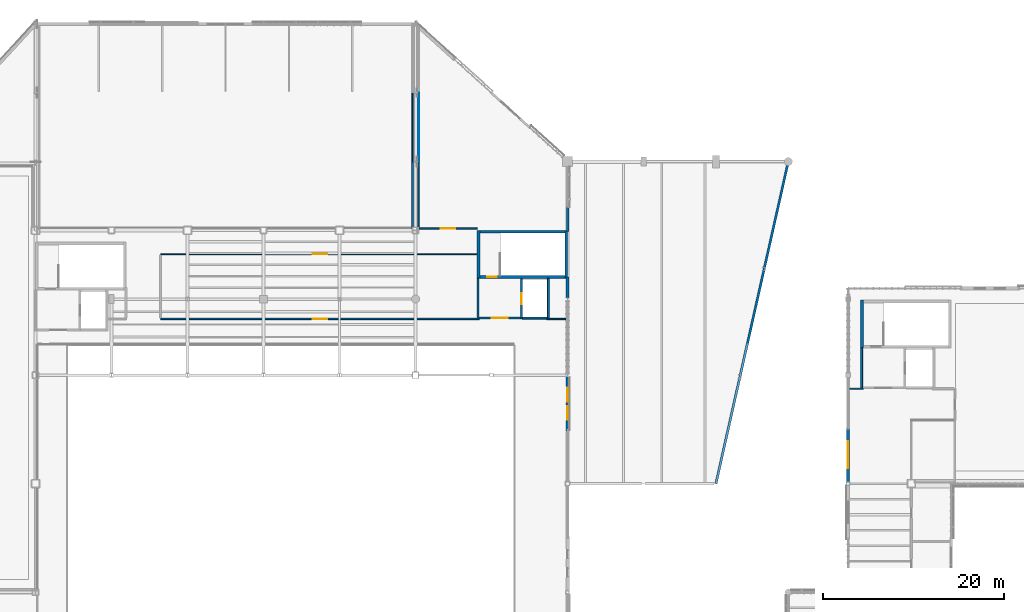
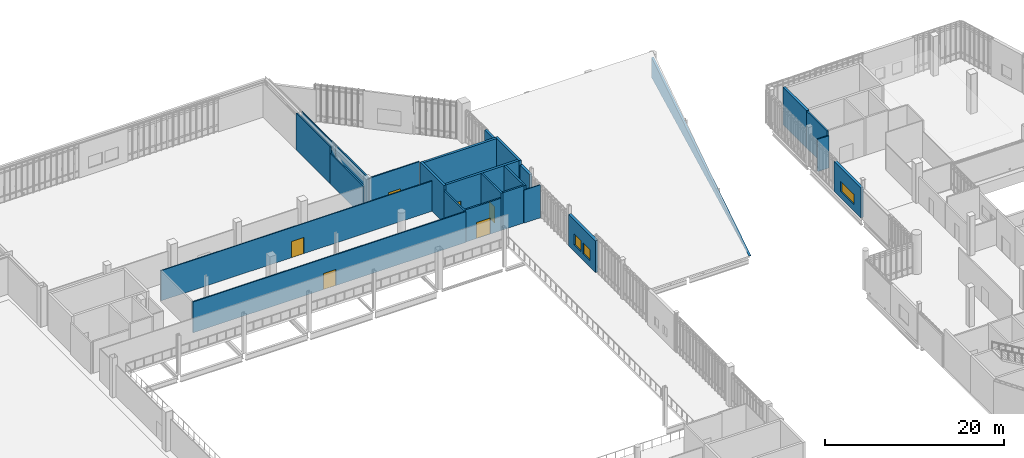
# One storey, part 118 of 135: 25 walls, 6 doors, 3 windows, 9 openings.
"""IFC4 building model written with IfcOpenShell, lengths in metres."""

from ifc_helpers import new_model, si_unit, direction, frame, frame_2d, origin, place, context, subcontext, project, spatial, polyline, rectangle, outline, extrude, material, layer, layer_set, type_object, element, fill, save


model = new_model("IFC4")

# Units and contexts
model_context = context("Model", 3, precision=1e-05, world=origin(), true_north=direction((0.0, 1.0)))
body_context = subcontext(model_context, "Body", "Model", "MODEL_VIEW")
ifc_project = project(units=[si_unit("LENGTHUNIT", "METRE"), si_unit("AREAUNIT", "SQUARE_METRE"), si_unit("VOLUMEUNIT", "CUBIC_METRE"), si_unit("PLANEANGLEUNIT", "RADIAN"), si_unit("MASSUNIT", "GRAM", prefix="KILO")], contexts=[model_context])

# Site, building, storey
site_placement = place(None, origin())
site = spatial("IfcSite", under=ifc_project, at=site_placement, CompositionType="ELEMENT")
building_placement = place(site_placement, origin())
building = spatial("IfcBuilding", under=site, at=building_placement, Name="Larkvane Passage Sports Hall", CompositionType="ELEMENT")
storey_placement = place(building_placement, frame((0.0, 0.0, 16.800048828125)))
storey = spatial("IfcBuildingStorey", under=building, at=storey_placement, Name="L03", CompositionType="ELEMENT", Elevation=16.800048828125)

# Walls
ifc_material_1 = material(Name="Concrete C50/60", Category="concrete")
ifc_layer_1 = layer(ifc_material_1, 0.360107421875)
ifc_layer_set_1 = layer_set([ifc_layer_1], Name="Concrete C50/60")
wall_type_1 = type_object("IfcWallType", Name="WL-CORE-360", PredefinedType="SHEAR", material=ifc_layer_set_1)
for number, where, z_axis, x_axis, name in (
    (1, (83.75, 86.300048828125, 0.0), (0.0, 0.0, 1.0), (0.0, 1.0, 0.0), "Core shear wall WAL-CORE-C3-L03-W"),
    (2, (93.449951171875, 91.60009765625, 0.0), (0.0, 0.0, 1.0), (0.0, -1.0, 0.0), "Core shear wall WAL-CORE-C3-L03-E"),
):
    element("IfcWall", number, at=place(storey_placement, frame(where, z_axis=z_axis, x_axis=x_axis)), inside=storey, type_object=wall_type_1, Name=name, PredefinedType="SHEAR", context=body_context, shape_type="SweptSolid", body=[
        extrude(rectangle(XDim=5.300048828125, YDim=0.300048828125, at=frame_2d((2.64990234375, 0.0))), origin(), (0.0, 0.0, 1.0), 5.070068359375),
    ])

# Wall, opening, door
wall_1_placement = place(storey_placement, frame((93.300048828125, 86.449951171875, 0.0), z_axis=(0.0, 0.0, 1.0), x_axis=(-1.0, 0.0, 0.0)))
wall_1 = element("IfcWall", 3, at=wall_1_placement, inside=storey, type_object=wall_type_1, Name="Core shear wall WAL-CORE-C3-L03-S", PredefinedType="SHEAR", context=body_context, shape_type="SweptSolid", body=[
    extrude(rectangle(XDim=9.400146484375, YDim=0.300048828125, at=frame_2d((4.7001953125, 0.0))), origin(), (0.0, 0.0, 1.0), 5.070068359375),
])
opening_1_placement = place(wall_1_placement, frame((7.5, 0.0, 0.0)))
opening_1 = element("IfcOpeningElement", 4, at=opening_1_placement, cuts=wall_1, Name="Opening DF-01", PredefinedType="OPENING", context=body_context, shape_type="SweptSolid", body=[
    extrude(rectangle(XDim=1.050048828125, YDim=2.199951171875, at=frame_2d((0.52490234375, 1.10009765625))), frame((0.0, 0.159912109375, 0.0), z_axis=(0.0, -1.0, 0.0), x_axis=(1.0, 0.0, 0.0)), (0.0, 0.0, 1.0), 0.320068359375),
])
ifc_material_2 = material(Name="Steel S355JR smoke-sealed fire door", Category="steel")
door_type_1 = type_object("IfcDoorType", Name="DR-FIRE-1050", OperationType="NOTDEFINED", PredefinedType="DOOR", material=ifc_material_2)
door_1_placement = place(opening_1_placement, origin())
door_1 = element("IfcDoor", 5, at=door_1_placement, inside=storey, type_object=door_type_1, Name="Stair ST-03 L03 fire door", OperationType="SINGLE_SWING_RIGHT", OverallHeight=2.199951171875, OverallWidth=1.050048828125, PredefinedType="DOOR", context=body_context, shape_type="SweptSolid", body=[
    extrude(rectangle(XDim=1.050048828125, YDim=2.199951171875, at=frame_2d((0.52490234375, 1.10009765625))), frame((0.0, 0.02490234375, 0.0), z_axis=(0.0, -1.0, 0.0), x_axis=(1.0, 0.0, 0.0)), (0.0, 0.0, 1.0), 0.050048828125),
])
fill(opening_1, door_1)

# Walls
wall_2_placement = place(storey_placement, frame((126.14990234375, 78.60009765625, 0.0), z_axis=(0.0, 0.0, 1.0), x_axis=(0.0, 1.0, 0.0)))
element("IfcWall", 6, at=wall_2_placement, inside=storey, type_object=wall_type_1, Name="Core shear wall WAL-CORE-C6-L03-W", PredefinedType="SHEAR", context=body_context, shape_type="SweptSolid", body=[
    extrude(rectangle(XDim=5.2998046875, YDim=0.300048828125, at=frame_2d((2.64990234375, 0.0))), origin(), (0.0, 0.0, 1.0), 5.119873046875),
])
ifc_layer_2 = layer(ifc_material_1, 0.360107421875)
ifc_layer_set_2 = layer_set([ifc_layer_2], Name="Concrete C50/60")
wall_type_2 = type_object("IfcWallType", Name="WL-CORE-EXT-360", PredefinedType="SHEAR", material=ifc_layer_set_2)
wall_3_placement = place(storey_placement, frame((83.89990234375, 91.449951171875, 0.0), z_axis=(0.0, 0.0, 1.0), x_axis=(1.0, 0.0, 0.0)))
element("IfcWall", 7, at=wall_3_placement, inside=storey, type_object=wall_type_2, Name="Core shear wall WAL-CORE-C3-L03-N", PredefinedType="SHEAR", context=body_context, shape_type="SweptSolid", body=[
    extrude(rectangle(XDim=9.400146484375, YDim=0.300048828125, at=frame_2d((4.7001953125, 0.0))), origin(), (0.0, 0.0, 1.0), 5.070068359375),
])
ifc_material_3 = material(Name="Concrete C40/50", Category="concrete")
ifc_layer_3 = layer(ifc_material_3, 0.27490234375)
ifc_layer_set_3 = layer_set([ifc_layer_3], Name="Concrete C40/50")
wall_type_3 = type_object("IfcWallType", Name="WL-EXT-275", PredefinedType="SOLIDWALL", material=ifc_layer_set_3)
wall_4_placement = place(storey_placement, frame((93.60009765625, 94.265380859375, 0.0), z_axis=(0.0, 0.0, 1.0), x_axis=(0.0, -1.0, 0.0)))
element("IfcWall", 8, at=wall_4_placement, inside=storey, type_object=wall_type_3, Name="Exterior wall WAL-EXT-L03-202", PredefinedType="SOLIDWALL", context=body_context, shape_type="SweptSolid", body=[
    extrude(rectangle(XDim=2.787353515625, YDim=0.27490234375, at=frame_2d((1.3935546875, 0.0))), origin(), (0.0, 0.0, 1.0), 4.407958984375),
])
ifc_material_4 = material(Name="Precast concrete C45/55", Category="concrete")
ifc_layer_4 = layer(ifc_material_4, 0.31005859375)
ifc_layer_set_4 = layer_set([ifc_layer_4], Name="Precast concrete C45/55")
wall_type_4 = type_object("IfcWallType", Name="WL-EXT-310", PredefinedType="SOLIDWALL", material=ifc_layer_set_4)
wall_5_placement = place(storey_placement, frame((93.60009765625, 86.438720703125, 0.0), z_axis=(0.0, 0.0, 1.0), x_axis=(0.0, -1.0, 0.0)))
element("IfcWall", 9, at=wall_5_placement, inside=storey, type_object=wall_type_4, Name="Exterior wall WAL-EXT-L03-203", PredefinedType="SOLIDWALL", context=body_context, shape_type="SweptSolid", body=[
    extrude(rectangle(XDim=2.267822265625, YDim=0.31005859375, at=frame_2d((1.1337890625, 0.0))), origin(), (0.0, 0.0, 1.0), 4.407958984375),
])

# Wall, opening, window
ifc_layer_5 = layer(ifc_material_4, 0.344970703125)
ifc_layer_set_5 = layer_set([ifc_layer_5], Name="Precast concrete C45/55")
wall_type_5 = type_object("IfcWallType", Name="WL-EXT-345", PredefinedType="SOLIDWALL", material=ifc_layer_set_5)
wall_6_placement = place(storey_placement, frame((124.60009765625, 63.79931640625, 0.0), z_axis=(0.0, 0.0, 1.0), x_axis=(0.0, 1.0, 0.0)))
wall_6 = element("IfcWall", 10, at=wall_6_placement, inside=storey, type_object=wall_type_5, Name="Exterior wall WAL-EXT-L03-162", PredefinedType="SOLIDWALL", context=body_context, shape_type="SweptSolid", body=[
    extrude(rectangle(XDim=5.96630859375, YDim=0.344970703125, at=frame_2d((2.983154296875, 0.0))), origin(), (0.0, 0.0, 1.0), 4.10791015625),
])
opening_2_placement = place(wall_6_placement, frame((1.48291015625, 0.0, 0.89990234375)))
opening_2 = element("IfcOpeningElement", 11, at=opening_2_placement, cuts=wall_6, Name="Opening W-06", PredefinedType="OPENING", context=body_context, shape_type="SweptSolid", body=[
    extrude(rectangle(XDim=3.0, YDim=1.39990234375, at=frame_2d((1.5, 0.699951171875))), frame((0.0, 0.182373046875, 0.0), z_axis=(0.0, -1.0, 0.0), x_axis=(1.0, 0.0, 0.0)), (0.0, 0.0, 1.0), 0.364990234375),
])
ifc_material_5 = material(Name="Thermally broken aluminium and laminated low-E glass", Category="aluminium")
window_type_1 = type_object("IfcWindowType", Name="WN-FIX-3000x1400", PartitioningType="TRIPLE_PANEL_VERTICAL", PredefinedType="WINDOW", material=ifc_material_5)
window_1_placement = place(opening_2_placement, origin())
window_1 = element("IfcWindow", 12, at=window_1_placement, inside=storey, type_object=window_type_1, Name="Window L03-060", OverallHeight=1.39990234375, OverallWidth=3.0, PartitioningType="TRIPLE_PANEL_VERTICAL", PredefinedType="WINDOW", context=body_context, shape_type="SweptSolid", body=[
    extrude(rectangle(XDim=3.0, YDim=1.39990234375, at=frame_2d((1.5, 0.699951171875))), frame((0.0, 0.030029296875, 0.0), z_axis=(0.0, -1.0, 0.0), x_axis=(1.0, 0.0, 0.0)), (0.0, 0.0, 1.0), 0.06005859375),
])
fill(opening_2, window_1)

# Wall, openings, windows
wall_7_placement = place(storey_placement, frame((93.60009765625, 75.428955078125, 0.0), z_axis=(0.0, 0.0, 1.0), x_axis=(0.0, -1.0, 0.0)))
wall_7 = element("IfcWall", 13, at=wall_7_placement, inside=storey, type_object=wall_type_5, Name="Exterior wall WAL-EXT-L03-204", PredefinedType="SOLIDWALL", context=body_context, shape_type="SweptSolid", body=[
    extrude(rectangle(XDim=5.99462890625, YDim=0.344970703125, at=frame_2d((2.997314453125, 0.0))), origin(), (0.0, 0.0, 1.0), 4.31591796875),
])
opening_3_placement = place(wall_7_placement, frame((1.248046875, 0.0, 0.89990234375)))
opening_3 = element("IfcOpeningElement", 14, at=opening_3_placement, cuts=wall_7, Name="Opening W-08", PredefinedType="OPENING", context=body_context, shape_type="SweptSolid", body=[
    extrude(rectangle(XDim=1.5, YDim=1.5, at=frame_2d((0.75, 0.75))), frame((0.0, 0.182373046875, 0.0), z_axis=(0.0, -1.0, 0.0), x_axis=(1.0, 0.0, 0.0)), (0.0, 0.0, 1.0), 0.364990234375),
])
opening_4_placement = place(wall_7_placement, frame((3.24609375, 0.0, 0.89990234375)))
opening_4 = element("IfcOpeningElement", 15, at=opening_4_placement, cuts=wall_7, Name="Opening W-08", PredefinedType="OPENING", context=body_context, shape_type="SweptSolid", body=[
    extrude(rectangle(XDim=1.5, YDim=1.5, at=frame_2d((0.75, 0.75))), frame((0.0, 0.182373046875, 0.0), z_axis=(0.0, -1.0, 0.0), x_axis=(1.0, 0.0, 0.0)), (0.0, 0.0, 1.0), 0.364990234375),
])
window_type_2 = type_object("IfcWindowType", Name="WN-CAS-1500x1500", PartitioningType="DOUBLE_PANEL_VERTICAL", PredefinedType="WINDOW", material=ifc_material_5)
window_2_placement = place(opening_3_placement, origin())
window_2 = element("IfcWindow", 16, at=window_2_placement, inside=storey, type_object=window_type_2, Name="Window L03-091", OverallHeight=1.5, OverallWidth=1.5, PartitioningType="DOUBLE_PANEL_VERTICAL", PredefinedType="WINDOW", context=body_context, shape_type="SweptSolid", body=[
    extrude(rectangle(XDim=1.5, YDim=1.5, at=frame_2d((0.75, 0.75))), frame((0.0, 0.030029296875, 0.0), z_axis=(0.0, -1.0, 0.0), x_axis=(1.0, 0.0, 0.0)), (0.0, 0.0, 1.0), 0.06005859375),
])
fill(opening_3, window_2)
window_3_placement = place(opening_4_placement, origin())
window_3 = element("IfcWindow", 17, at=window_3_placement, inside=storey, type_object=window_type_2, Name="Window L03-092", OverallHeight=1.5, OverallWidth=1.5, PartitioningType="DOUBLE_PANEL_VERTICAL", PredefinedType="WINDOW", context=body_context, shape_type="SweptSolid", body=[
    extrude(rectangle(XDim=1.5, YDim=1.5, at=frame_2d((0.75, 0.75))), frame((0.0, 0.030029296875, 0.0), z_axis=(0.0, -1.0, 0.0), x_axis=(1.0, 0.0, 0.0)), (0.0, 0.0, 1.0), 0.06005859375),
])
fill(opening_4, window_3)

# Wall
ifc_layer_6 = layer(ifc_material_4, 0.260009765625)
ifc_layer_set_6 = layer_set([ifc_layer_6], Name="Precast concrete C45/55")
wall_type_6 = type_object("IfcWallType", Name="WL-GABLE-260", PredefinedType="SOLIDWALL", material=ifc_layer_set_6)
wall_8_placement = place(storey_placement, frame((110.0, 63.60009765625, 0.0), z_axis=(0.0, 0.0, 1.0), x_axis=(0.219252187856, 0.975668221334, 0.0)))
element("IfcWall", 18, at=wall_8_placement, inside=storey, type_object=wall_type_6, Name="Climbing wedge sloped roof gable WAL-GABLE-V3-E", PredefinedType="SOLIDWALL", context=body_context, shape_type="SweptSolid", body=[
    extrude(outline(polyline([(0.0, 0.0), (36.487548828125, 0.0), (36.489990234375, 2.739990234375), (0.0, 0.02001953125), (0.0, 0.0)])), frame((0.0, 0.1298828125, 0.0), z_axis=(0.0, -1.0, 0.0), x_axis=(1.0, 0.0, 0.0)), (0.0, 0.0, 1.0), 0.260009765625),
])

# Wall, opening, door
ifc_layer_7 = layer(ifc_material_3, 0.199951171875)
ifc_layer_set_7 = layer_set([ifc_layer_7], Name="Concrete C40/50")
wall_type_7 = type_object("IfcWallType", Name="WL-LOBBY-200", PredefinedType="SOLIDWALL", material=ifc_layer_set_7)
wall_9_placement = place(storey_placement, frame((83.800048828125, 81.89990234375, 0.0), z_axis=(0.0, 0.0, 1.0), x_axis=(1.0, 0.0, 0.0)))
wall_9 = element("IfcWall", 19, at=wall_9_placement, inside=storey, type_object=wall_type_7, Name="Protected stair lobby wall C3 L03", PredefinedType="SOLIDWALL", context=body_context, shape_type="SweptSolid", body=[
    extrude(rectangle(XDim=4.599853515625, YDim=0.199951171875, at=frame_2d((2.2998046875, 0.0))), origin(), (0.0, 0.0, 1.0), 4.409912109375),
])
opening_5_placement = place(wall_9_placement, frame((1.39990234375, 0.0, 0.0)))
opening_5 = element("IfcOpeningElement", 20, at=opening_5_placement, cuts=wall_9, Name="Opening DF-02", PredefinedType="OPENING", context=body_context, shape_type="SweptSolid", body=[
    extrude(rectangle(XDim=1.800048828125, YDim=2.199951171875, at=frame_2d((0.89990234375, 1.10009765625))), frame((0.0, 0.10986328125, 0.0), z_axis=(0.0, -1.0, 0.0), x_axis=(1.0, 0.0, 0.0)), (0.0, 0.0, 1.0), 0.219970703125),
])
ifc_material_6 = material(Name="Steel S355JR double smoke-sealed fire door", Category="steel")
door_type_2 = type_object("IfcDoorType", Name="DR-FIRE-1800", OperationType="DOUBLE_DOOR_SINGLE_SWING", PredefinedType="DOOR", material=ifc_material_6)
door_2_placement = place(opening_5_placement, origin())
door_2 = element("IfcDoor", 21, at=door_2_placement, inside=storey, type_object=door_type_2, Name="Lobby smoke door C3 L03", OperationType="DOUBLE_DOOR_SINGLE_SWING", OverallHeight=2.199951171875, OverallWidth=1.800048828125, PredefinedType="DOOR", context=body_context, shape_type="SweptSolid", body=[
    extrude(rectangle(XDim=1.800048828125, YDim=2.199951171875, at=frame_2d((0.89990234375, 1.10009765625))), frame((0.0, 0.02490234375, 0.0), z_axis=(0.0, -1.0, 0.0), x_axis=(1.0, 0.0, 0.0)), (0.0, 0.0, 1.0), 0.050048828125),
])
fill(opening_5, door_2)

# Walls
wall_10_placement = place(storey_placement, frame((83.699951171875, 81.800048828125, 0.0), z_axis=(0.0, 0.0, 1.0), x_axis=(0.0, 1.0, 0.0)))
element("IfcWall", 22, at=wall_10_placement, inside=storey, type_object=wall_type_7, Name="Lobby side wall C3 L03", PredefinedType="SOLIDWALL", context=body_context, shape_type="SweptSolid", body=[
    extrude(rectangle(XDim=4.5, YDim=0.199951171875, at=frame_2d((2.25, 0.0))), origin(), (0.0, 0.0, 1.0), 4.409912109375),
])
wall_11_placement = place(storey_placement, frame((126.10009765625, 74.10009765625, 0.0), z_axis=(0.0, 0.0, 1.0), x_axis=(0.0, 1.0, 0.0)))
element("IfcWall", 23, at=wall_11_placement, inside=storey, type_object=wall_type_7, Name="Lobby side wall C6 L03", PredefinedType="SOLIDWALL", context=body_context, shape_type="SweptSolid", body=[
    extrude(rectangle(XDim=4.5, YDim=0.199951171875, at=frame_2d((2.25, 0.0))), origin(), (0.0, 0.0, 1.0), 5.050048828125),
])
ifc_material_7 = material(Name="Gypsum twin-stud acoustic partition")
ifc_layer_8 = layer(ifc_material_7, 0.10009765625)
ifc_layer_set_8 = layer_set([ifc_layer_8], Name="Gypsum twin-stud acoustic partition")
wall_type_8 = type_object("IfcWallType", Name="WL-PART-100", PredefinedType="PARTITIONING", material=ifc_layer_set_8)
wall_12_placement = place(storey_placement, frame((77.139892578125, 99.199951171875, 0.0), z_axis=(0.0, 0.0, 1.0), x_axis=(0.0, 1.0, 0.0)))
element("IfcWall", 24, at=wall_12_placement, inside=storey, type_object=wall_type_8, Name="Interior partition WAL-PART-L03-0305", PredefinedType="PARTITIONING", context=body_context, shape_type="SweptSolid", body=[
    extrude(rectangle(XDim=7.60009765625, YDim=0.10009765625, at=frame_2d((3.800048828125, 0.0))), origin(), (0.0, 0.0, 1.0), 5.050048828125),
])

# Wall, opening, door
ifc_material_8 = material(Name="Gypsum twin-stud fire-rated partition")
ifc_layer_9 = layer(ifc_material_8, 0.125)
ifc_layer_set_9 = layer_set([ifc_layer_9], Name="Gypsum twin-stud fire-rated partition")
wall_type_9 = type_object("IfcWallType", Name="WL-PART-125", PredefinedType="PARTITIONING", material=ifc_layer_set_9)
wall_13_placement = place(storey_placement, frame((48.6201171875, 88.97998046875, 0.0), z_axis=(0.0, 0.0, 1.0), x_axis=(1.0, 0.0, 0.0)))
wall_13 = element("IfcWall", 25, at=wall_13_placement, inside=storey, type_object=wall_type_9, Name="Interior partition WAL-PART-L03-0318", PredefinedType="PARTITIONING", context=body_context, shape_type="SweptSolid", body=[
    extrude(rectangle(XDim=35.239990234375, YDim=0.125, at=frame_2d((17.6201171875, 0.0))), origin(), (0.0, 0.0, 1.0), 4.119873046875),
])
opening_6_placement = place(wall_13_placement, frame((16.820068359375, 0.0, 0.0)))
opening_6 = element("IfcOpeningElement", 26, at=opening_6_placement, cuts=wall_13, Name="Opening DI-03", PredefinedType="OPENING", context=body_context, shape_type="SweptSolid", body=[
    extrude(rectangle(XDim=1.60009765625, YDim=2.199951171875, at=frame_2d((0.800048828125, 1.10009765625))), frame((0.0, 0.072509765625, 0.0), z_axis=(0.0, -1.0, 0.0), x_axis=(1.0, 0.0, 0.0)), (0.0, 0.0, 1.0), 0.14501953125),
])
ifc_material_9 = material(Name="Glazed aluminium studio double door", Category="aluminium")
door_type_3 = type_object("IfcDoorType", Name="DR-INT-1600", OperationType="DOUBLE_DOOR_SINGLE_SWING", PredefinedType="DOOR", material=ifc_material_9)
door_3_placement = place(opening_6_placement, origin())
door_3 = element("IfcDoor", 27, at=door_3_placement, inside=storey, type_object=door_type_3, Name="Interior door L03-0088", OperationType="DOUBLE_DOOR_SINGLE_SWING", OverallHeight=2.199951171875, OverallWidth=1.60009765625, PredefinedType="DOOR", context=body_context, shape_type="SweptSolid", body=[
    extrude(rectangle(XDim=1.60009765625, YDim=2.199951171875, at=frame_2d((0.800048828125, 1.10009765625))), frame((0.0, 0.02490234375, 0.0), z_axis=(0.0, -1.0, 0.0), x_axis=(1.0, 0.0, 0.0)), (0.0, 0.0, 1.0), 0.050048828125),
])
fill(opening_6, door_3)

# Walls
wall_14_placement = place(storey_placement, frame((91.300048828125, 81.800048828125, 0.0), z_axis=(0.0, 0.0, 1.0), x_axis=(1.0, 0.0, 0.0)))
element("IfcWall", 28, at=wall_14_placement, inside=storey, type_object=wall_type_9, Name="Interior partition WAL-PART-L03-0362", PredefinedType="PARTITIONING", context=body_context, shape_type="SweptSolid", body=[
    extrude(rectangle(XDim=2.119873046875, YDim=0.125, at=frame_2d((1.06005859375, 0.0))), origin(), (0.0, 0.0, 1.0), 4.510009765625),
])
ifc_material_10 = material(Name="Gypsum acoustic partition")
ifc_layer_10 = layer(ifc_material_10, 0.14990234375)
ifc_layer_set_10 = layer_set([ifc_layer_10], Name="Gypsum acoustic partition")
wall_type_10 = type_object("IfcWallType", Name="WL-PART-150", PredefinedType="PARTITIONING", material=ifc_layer_set_10)
wall_15_placement = place(storey_placement, frame((76.4599609375, 106.800048828125, 0.0), z_axis=(0.0, 0.0, 1.0), x_axis=(0.0, -1.0, 0.0)))
element("IfcWall", 29, at=wall_15_placement, inside=storey, type_object=wall_type_10, Name="Interior partition WAL-PART-L03-0299", PredefinedType="PARTITIONING", context=body_context, shape_type="SweptSolid", body=[
    extrude(rectangle(XDim=7.60009765625, YDim=0.14990234375, at=frame_2d((3.800048828125, 0.0))), origin(), (0.0, 0.0, 1.0), 5.050048828125),
])

# Wall, opening, door
wall_16_placement = place(storey_placement, frame((83.60009765625, 91.820068359375, 0.0), z_axis=(0.0, 0.0, 1.0), x_axis=(-1.0, 0.0, 0.0)))
wall_16 = element("IfcWall", 30, at=wall_16_placement, inside=storey, type_object=wall_type_10, Name="Interior partition WAL-PART-L03-0303", PredefinedType="PARTITIONING", context=body_context, shape_type="SweptSolid", body=[
    extrude(rectangle(XDim=6.460205078125, YDim=0.14990234375, at=frame_2d((3.22998046875, 0.0))), origin(), (0.0, 0.0, 1.0), 5.050048828125),
])
opening_7_placement = place(wall_16_placement, frame((2.429931640625, 0.0, 0.0)))
opening_7 = element("IfcOpeningElement", 31, at=opening_7_placement, cuts=wall_16, Name="Opening DI-03", PredefinedType="OPENING", context=body_context, shape_type="SweptSolid", body=[
    extrude(rectangle(XDim=1.60009765625, YDim=2.199951171875, at=frame_2d((0.800048828125, 1.10009765625))), frame((0.0, 0.0849609375, 0.0), z_axis=(0.0, -1.0, 0.0), x_axis=(1.0, 0.0, 0.0)), (0.0, 0.0, 1.0), 0.169921875),
])
door_4_placement = place(opening_7_placement, origin())
door_4 = element("IfcDoor", 32, at=door_4_placement, inside=storey, type_object=door_type_3, Name="Interior door L03-0098", OperationType="DOUBLE_DOOR_SINGLE_SWING", OverallHeight=2.199951171875, OverallWidth=1.60009765625, PredefinedType="DOOR", context=body_context, shape_type="SweptSolid", body=[
    extrude(rectangle(XDim=1.60009765625, YDim=2.199951171875, at=frame_2d((0.800048828125, 1.10009765625))), frame((0.0, 0.02490234375, 0.0), z_axis=(0.0, -1.0, 0.0), x_axis=(1.0, 0.0, 0.0)), (0.0, 0.0, 1.0), 0.050048828125),
])
fill(opening_7, door_4)

wall_17_placement = place(storey_placement, frame((83.860107421875, 81.820068359375, 0.0), z_axis=(0.0, 0.0, 1.0), x_axis=(-1.0, 0.0, 0.0)))
wall_17 = element("IfcWall", 33, at=wall_17_placement, inside=storey, type_object=wall_type_10, Name="Interior partition WAL-PART-L03-0319", PredefinedType="PARTITIONING", context=body_context, shape_type="SweptSolid", body=[
    extrude(rectangle(XDim=35.239990234375, YDim=0.14990234375, at=frame_2d((17.6201171875, 0.0))), origin(), (0.0, 0.0, 1.0), 4.2099609375),
])
opening_8_placement = place(wall_17_placement, frame((16.820068359375, 0.0, 0.0)))
opening_8 = element("IfcOpeningElement", 34, at=opening_8_placement, cuts=wall_17, Name="Opening DI-03", PredefinedType="OPENING", context=body_context, shape_type="SweptSolid", body=[
    extrude(rectangle(XDim=1.60009765625, YDim=2.199951171875, at=frame_2d((0.800048828125, 1.10009765625))), frame((0.0, 0.0849609375, 0.0), z_axis=(0.0, -1.0, 0.0), x_axis=(1.0, 0.0, 0.0)), (0.0, 0.0, 1.0), 0.169921875),
])
door_5_placement = place(opening_8_placement, origin())
door_5 = element("IfcDoor", 35, at=door_5_placement, inside=storey, type_object=door_type_3, Name="Interior door L03-0089", OperationType="DOUBLE_DOOR_SINGLE_SWING", OverallHeight=2.199951171875, OverallWidth=1.60009765625, PredefinedType="DOOR", context=body_context, shape_type="SweptSolid", body=[
    extrude(rectangle(XDim=1.60009765625, YDim=2.199951171875, at=frame_2d((0.800048828125, 1.10009765625))), frame((0.0, 0.02490234375, 0.0), z_axis=(0.0, -1.0, 0.0), x_axis=(1.0, 0.0, 0.0)), (0.0, 0.0, 1.0), 0.050048828125),
])
fill(opening_8, door_5)

# Walls
wall_18_placement = place(storey_placement, frame((124.780029296875, 74.10009765625, 0.0), z_axis=(0.0, 0.0, 1.0), x_axis=(1.0, 0.0, 0.0)))
element("IfcWall", 36, at=wall_18_placement, inside=storey, type_object=wall_type_10, Name="Interior partition WAL-PART-L03-0371", PredefinedType="PARTITIONING", context=body_context, shape_type="SweptSolid", body=[
    extrude(rectangle(XDim=1.47998046875, YDim=0.14990234375, at=frame_2d((0.739990234375, 0.0))), origin(), (0.0, 0.0, 1.0), 4.409912109375),
])
ifc_material_11 = material(Name="Gypsum high-bay court partition")
ifc_layer_11 = layer(ifc_material_11, 0.179931640625)
ifc_layer_set_11 = layer_set([ifc_layer_11], Name="Gypsum high-bay court partition")
wall_type_11 = type_object("IfcWallType", Name="WL-PART-180", PredefinedType="PARTITIONING", material=ifc_layer_set_11)
wall_19_placement = place(storey_placement, frame((76.4599609375, 99.199951171875, 0.0), z_axis=(0.0, 0.0, 1.0), x_axis=(0.0, -1.0, 0.0)))
element("IfcWall", 37, at=wall_19_placement, inside=storey, type_object=wall_type_11, Name="Interior partition WAL-PART-L03-0300", PredefinedType="PARTITIONING", context=body_context, shape_type="SweptSolid", body=[
    extrude(rectangle(XDim=7.3798828125, YDim=0.179931640625, at=frame_2d((3.68994140625, 0.0))), origin(), (0.0, 0.0, 1.0), 4.159912109375),
])
wall_20_placement = place(storey_placement, frame((77.139892578125, 91.93994140625, 0.0), z_axis=(0.0, 0.0, 1.0), x_axis=(0.0, 1.0, 0.0)))
element("IfcWall", 38, at=wall_20_placement, inside=storey, type_object=wall_type_11, Name="Interior partition WAL-PART-L03-0304", PredefinedType="PARTITIONING", context=body_context, shape_type="SweptSolid", body=[
    extrude(rectangle(XDim=7.260009765625, YDim=0.179931640625, at=frame_2d((3.6298828125, 0.0))), origin(), (0.0, 0.0, 1.0), 5.050048828125),
])

# Wall, opening, door
ifc_layer_12 = layer(ifc_material_3, 0.219970703125)
ifc_layer_set_12 = layer_set([ifc_layer_12], Name="Concrete C40/50")
wall_type_12 = type_object("IfcWallType", Name="WL-SHAFT-220", PredefinedType="SOLIDWALL", material=ifc_layer_set_12)
wall_21_placement = place(storey_placement, frame((88.510009765625, 81.800048828125, 0.0), z_axis=(0.0, 0.0, 1.0), x_axis=(0.0, 1.0, 0.0)))
wall_21 = element("IfcWall", 39, at=wall_21_placement, inside=storey, type_object=wall_type_12, Name="Lift shaft front wall L-04 L03", PredefinedType="SOLIDWALL", context=body_context, shape_type="SweptSolid", body=[
    extrude(rectangle(XDim=4.5, YDim=0.219970703125, at=frame_2d((2.25, 0.0))), origin(), (0.0, 0.0, 1.0), 5.070068359375),
])
opening_9_placement = place(wall_21_placement, frame((1.64990234375, 0.0, 0.0)))
opening_9 = element("IfcOpeningElement", 40, at=opening_9_placement, cuts=wall_21, Name="Opening LD-01", PredefinedType="OPENING", context=body_context, shape_type="SweptSolid", body=[
    extrude(rectangle(XDim=1.199951171875, YDim=2.199951171875, at=frame_2d((0.60009765625, 1.10009765625))), frame((0.0, 0.119873046875, 0.0), z_axis=(0.0, -1.0, 0.0), x_axis=(1.0, 0.0, 0.0)), (0.0, 0.0, 1.0), 0.239990234375),
])
ifc_material_12 = material(Name="Stainless steel S355JR lift landing door", Category="steel")
door_type_4 = type_object("IfcDoorType", Name="DR-LIFT-1200", OperationType="SLIDING_TO_LEFT", PredefinedType="DOOR", material=ifc_material_12)
door_6_placement = place(opening_9_placement, origin())
door_6 = element("IfcDoor", 41, at=door_6_placement, inside=storey, type_object=door_type_4, Name="Lift landing door L-04 L03", OperationType="SLIDING_TO_LEFT", OverallHeight=2.199951171875, OverallWidth=1.199951171875, PredefinedType="DOOR", context=body_context, shape_type="SweptSolid", body=[
    extrude(rectangle(XDim=1.199951171875, YDim=2.199951171875, at=frame_2d((0.60009765625, 1.10009765625))), frame((0.0, 0.02490234375, 0.0), z_axis=(0.0, -1.0, 0.0), x_axis=(1.0, 0.0, 0.0)), (0.0, 0.0, 1.0), 0.050048828125),
])
fill(opening_9, door_6)

# Walls
wall_22_placement = place(storey_placement, frame((91.489990234375, 81.800048828125, 0.0), z_axis=(0.0, 0.0, 1.0), x_axis=(0.0, 1.0, 0.0)))
element("IfcWall", 42, at=wall_22_placement, inside=storey, type_object=wall_type_12, Name="Lift shaft rear wall L-04 L03", PredefinedType="SOLIDWALL", context=body_context, shape_type="SweptSolid", body=[
    extrude(rectangle(XDim=4.5, YDim=0.219970703125, at=frame_2d((2.25, 0.0))), origin(), (0.0, 0.0, 1.0), 5.070068359375),
])
wall_23_placement = place(storey_placement, frame((88.6201171875, 81.909912109375, 0.0), z_axis=(0.0, 0.0, 1.0), x_axis=(1.0, 0.0, 0.0)))
element("IfcWall", 43, at=wall_23_placement, inside=storey, type_object=wall_type_12, Name="Lift shaft end wall L-04 L03", PredefinedType="SOLIDWALL", context=body_context, shape_type="SweptSolid", body=[
    extrude(rectangle(XDim=2.759765625, YDim=0.219970703125, at=frame_2d((1.3798828125, 0.0))), origin(), (0.0, 0.0, 1.0), 5.070068359375),
])

save(model, "model.ifc")
